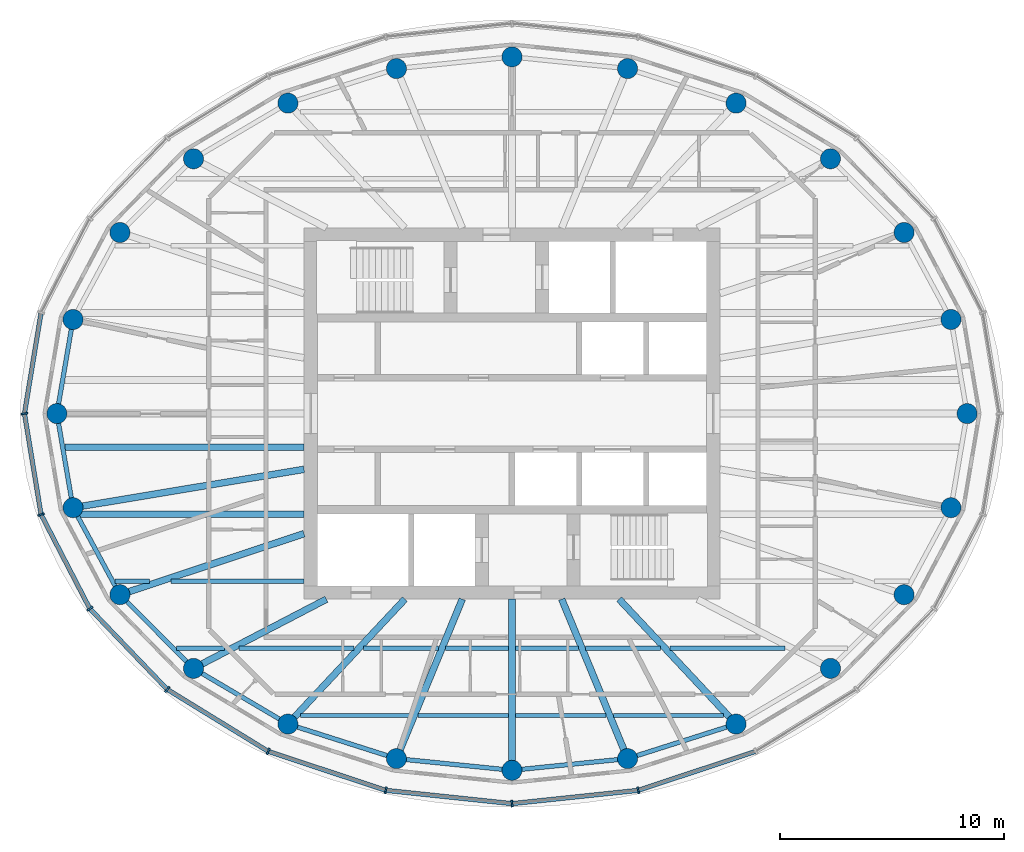
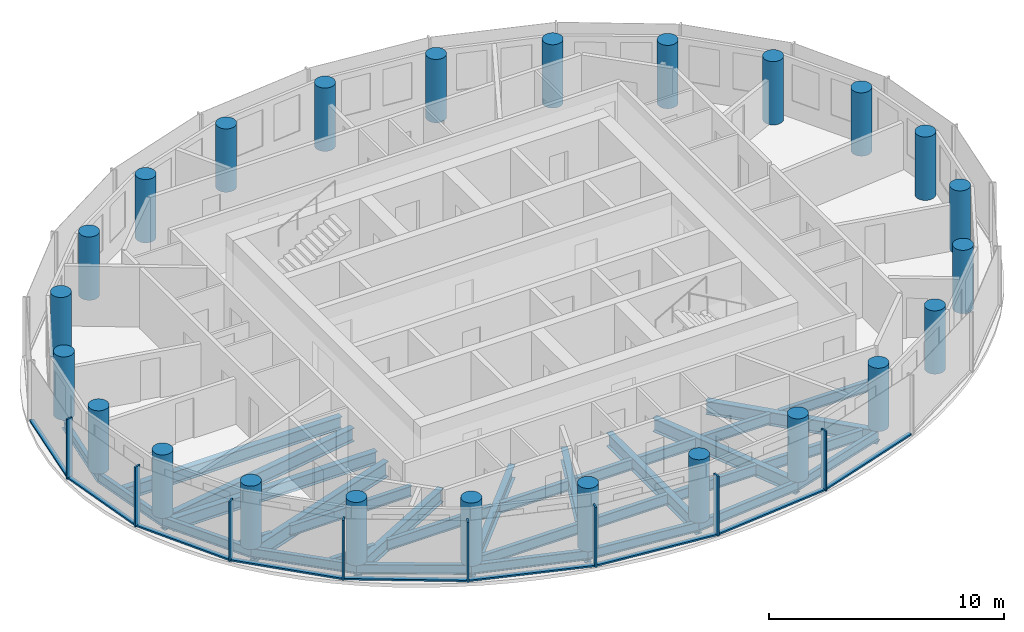
# One storey, part 1 of 11: 32 beams, 24 columns, 17 members, 3 elements without a shape of their own.
"""IFC4 building model written with IfcOpenShell, lengths in metres."""

from ifc_helpers import new_model, si_unit, direction, frame, origin, origin_2d, place, context, subcontext, project, spatial, rectangle, circle, i_section, extrude, material, material_profile, profile_set, type_object, element, aggregate, save


model = new_model("IFC4")

# Units and contexts
model_context = context("Model", 3, precision=1e-05, world=origin(), true_north=direction((0.0, 1.0)))
body_context = subcontext(model_context, "Body", "Model", "MODEL_VIEW")
ifc_project = project(units=[si_unit("LENGTHUNIT", "METRE"), si_unit("AREAUNIT", "SQUARE_METRE"), si_unit("VOLUMEUNIT", "CUBIC_METRE"), si_unit("PLANEANGLEUNIT", "RADIAN"), si_unit("MASSUNIT", "GRAM", prefix="KILO")], contexts=[model_context])

# Site, building, storey
site_placement = place(None, origin())
site = spatial("IfcSite", under=ifc_project, at=site_placement, CompositionType="ELEMENT")
building_placement = place(site_placement, origin())
building = spatial("IfcBuilding", under=site, at=building_placement, Name="Hankou Lantern Tower", CompositionType="ELEMENT")
storey_placement = place(building_placement, frame((0.0, 0.0, 209.39990234375)))
storey = spatial("IfcBuildingStorey", under=building, at=storey_placement, Name="L56", CompositionType="ELEMENT", Elevation=209.39990234375)

# Columns
ifc_material_1 = material(Name="Concrete C50", Category="concrete")
ifc_material_profile_1 = material_profile(ifc_material_1, circle(Radius=0.449951171875, at=origin_2d()), Name="RC D900")
ifc_profile_set_1 = profile_set([ifc_material_profile_1], Name="Concrete C50")
column_type = type_object("IfcColumnType", Name="TC5 PERIMETER COLUMN RC D900", PredefinedType="COLUMN", material=ifc_profile_set_1)
for number, where, z_axis, x_axis, name in (
    (1, (20.35009765625, 0.0, 0.0), (0.0, 0.0, 1.0), (1.0, 0.0, 0.0), "Column R01 L56"),
    (2, (19.629150390625, 4.207763671875, 0.0), (0.0, 0.0, 1.0), (1.0, 0.0, 0.0), "Column R02 L56"),
    (3, (17.5322265625, 8.097900390625, 0.0), (0.0, 0.0, 1.0), (1.0, 0.0, 0.0), "Column R03 L56"),
    (4, (14.241455078125, 11.393310546875, 0.0), (0.0, 0.0, 1.0), (1.0, 0.0, 0.0), "Column R04 L56"),
    (5, (10.01904296875, 13.8828125, 0.0), (0.0, 0.0, 1.0), (1.0, 0.0, 0.0), "Column R05 L56"),
    (6, (5.167236328125, 15.42724609375, 0.0), (0.0, 0.0, 1.0), (1.0, 0.0, 0.0), "Column R06 L56"),
    (7, (0.0, 15.949951171875, 0.0), (0.0, 0.0, 1.0), (1.0, 0.0, 0.0), "Column R07 L56"),
    (8, (-5.167236328125, 15.42724609375, 0.0), (0.0, 0.0, 1.0), (1.0, 0.0, 0.0), "Column R08 L56"),
    (9, (-10.01904296875, 13.8828125, 0.0), (0.0, 0.0, 1.0), (1.0, 0.0, 0.0), "Column R09 L56"),
    (10, (-14.241455078125, 11.393310546875, 0.0), (0.0, 0.0, 1.0), (1.0, 0.0, 0.0), "Column R10 L56"),
    (11, (-17.5322265625, 8.097900390625, 0.0), (0.0, 0.0, 1.0), (1.0, 0.0, 0.0), "Column R11 L56"),
    (12, (-19.629150390625, 4.207763671875, 0.0), (0.0, 0.0, 1.0), (1.0, 0.0, 0.0), "Column R12 L56"),
    (13, (-20.35009765625, 0.0, 0.0), (0.0, 0.0, 1.0), (1.0, 0.0, 0.0), "Column R13 L56"),
    (14, (-19.629150390625, -4.207763671875, 0.0), (0.0, 0.0, 1.0), (1.0, 0.0, 0.0), "Column R14 L56"),
    (15, (-17.5322265625, -8.097900390625, 0.0), (0.0, 0.0, 1.0), (1.0, 0.0, 0.0), "Column R15 L56"),
    (16, (-14.241455078125, -11.393310546875, 0.0), (0.0, 0.0, 1.0), (1.0, 0.0, 0.0), "Column R16 L56"),
    (17, (-10.01904296875, -13.8828125, 0.0), (0.0, 0.0, 1.0), (1.0, 0.0, 0.0), "Column R17 L56"),
    (18, (-5.167236328125, -15.42724609375, 0.0), (0.0, 0.0, 1.0), (1.0, 0.0, 0.0), "Column R18 L56"),
    (19, (0.0, -15.949951171875, 0.0), (0.0, 0.0, 1.0), (1.0, 0.0, 0.0), "Column R19 L56"),
    (20, (5.167236328125, -15.42724609375, 0.0), (0.0, 0.0, 1.0), (1.0, 0.0, 0.0), "Column R20 L56"),
    (21, (10.01904296875, -13.8828125, 0.0), (0.0, 0.0, 1.0), (1.0, 0.0, 0.0), "Column R21 L56"),
    (22, (14.241455078125, -11.393310546875, 0.0), (0.0, 0.0, 1.0), (1.0, 0.0, 0.0), "Column R22 L56"),
    (23, (17.5322265625, -8.097900390625, 0.0), (0.0, 0.0, 1.0), (1.0, 0.0, 0.0), "Column R23 L56"),
    (24, (19.629150390625, -4.207763671875, 0.0), (0.0, 0.0, 1.0), (1.0, 0.0, 0.0), "Column R24 L56"),
):
    element("IfcColumn", number, at=place(storey_placement, frame(where, z_axis=z_axis, x_axis=x_axis)), inside=storey, type_object=column_type, Name=name, PredefinedType="COLUMN", context=body_context, shape_type="SweptSolid", body=[
        extrude(circle(Radius=0.449951171875, at=origin_2d()), origin(), (0.0, 0.0, 1.0), 3.300048828125),
    ])

# Beams
ifc_material_2 = material(Name="Steel Q355B", Category="steel")
ifc_material_profile_2 = material_profile(ifc_material_2, i_section(OverallWidth=0.199951171875, OverallDepth=0.5, WebThickness=0.010009765625, FlangeThickness=0.01611328125, FilletRadius=0.012939453125, at=origin_2d()), Name="HN500x200x10x16")
ifc_profile_set_2 = profile_set([ifc_material_profile_2], Name="Steel Q355B")
beam_type_1 = type_object("IfcBeamType", Name="EB5 RING BEAM HN500x200x10x16", PredefinedType="SPANDREL", material=ifc_profile_set_2)
for number, where, z_axis, x_axis, name in (
    (25, (-19.629150390625, 4.207763671875, -0.429931640625), (-0.168876512999, -0.98563721691, 0.0), (0.98563721691, -0.168876512999, 0.0), "Ring beam R12-R13 L56"),
    (26, (-20.35009765625, 0.0, -0.429931640625), (0.168876512999, -0.98563721691, 0.0), (0.98563721691, 0.168876512999, 0.0), "Ring beam R13-R14 L56"),
):
    element("IfcBeam", number, at=place(storey_placement, frame(where, z_axis=z_axis, x_axis=x_axis)), inside=storey, type_object=beam_type_1, Name=name, PredefinedType="SPANDREL", context=body_context, shape_type="SweptSolid", body=[
        extrude(i_section(OverallWidth=0.199951171875, OverallDepth=0.5, WebThickness=0.010009765625, FlangeThickness=0.01611328125, FilletRadius=0.012939453125, at=origin_2d()), origin(), (0.0, 0.0, 1.0), 4.26904296875),
    ])
beam_1_placement = place(storey_placement, frame((-19.629150390625, -4.207763671875, -0.429931640625), z_axis=(0.474491806611, -0.880259919262, 0.0), x_axis=(0.880259919262, 0.474491806611, 0.0)))
element("IfcBeam", 27, at=beam_1_placement, inside=storey, type_object=beam_type_1, Name="Ring beam R14-R15 L56", PredefinedType="SPANDREL", context=body_context, shape_type="SweptSolid", body=[
    extrude(i_section(OverallWidth=0.199951171875, OverallDepth=0.5, WebThickness=0.010009765625, FlangeThickness=0.01611328125, FilletRadius=0.012939453125, at=origin_2d()), origin(), (0.0, 0.0, 1.0), 4.419189453125),
])
beam_2_placement = place(storey_placement, frame((-17.5322265625, -8.097900390625, -0.429931640625), z_axis=(0.706608588034, -0.707604623583, 0.0), x_axis=(0.707604623583, 0.706608588034, 0.0)))
element("IfcBeam", 28, at=beam_2_placement, inside=storey, type_object=beam_type_1, Name="Ring beam R15-R16 L56", PredefinedType="SPANDREL", context=body_context, shape_type="SweptSolid", body=[
    extrude(i_section(OverallWidth=0.199951171875, OverallDepth=0.5, WebThickness=0.010009765625, FlangeThickness=0.01611328125, FilletRadius=0.012939453125, at=origin_2d()), origin(), (0.0, 0.0, 1.0), 4.6572265625),
])
beam_3_placement = place(storey_placement, frame((-14.241455078125, -11.393310546875, -0.429931640625), z_axis=(0.861422897323, -0.507888365655, 0.0), x_axis=(0.507888365655, 0.861422897323, 0.0)))
element("IfcBeam", 29, at=beam_3_placement, inside=storey, type_object=beam_type_1, Name="Ring beam R16-R17 L56", PredefinedType="SPANDREL", context=body_context, shape_type="SweptSolid", body=[
    extrude(i_section(OverallWidth=0.199951171875, OverallDepth=0.5, WebThickness=0.010009765625, FlangeThickness=0.01611328125, FilletRadius=0.012939453125, at=origin_2d()), origin(), (0.0, 0.0, 1.0), 4.901611328125),
])
beam_4_placement = place(storey_placement, frame((-10.01904296875, -13.8828125, -0.429931640625), z_axis=(0.952887359315, -0.303324381574, 0.0), x_axis=(0.303324381574, 0.952887359315, 0.0)))
element("IfcBeam", 30, at=beam_4_placement, inside=storey, type_object=beam_type_1, Name="Ring beam R17-R18 L56", PredefinedType="SPANDREL", context=body_context, shape_type="SweptSolid", body=[
    extrude(i_section(OverallWidth=0.199951171875, OverallDepth=0.5, WebThickness=0.010009765625, FlangeThickness=0.01611328125, FilletRadius=0.012939453125, at=origin_2d()), origin(), (0.0, 0.0, 1.0), 5.091796875),
])
for number, where, z_axis, x_axis, name in (
    (31, (-5.167236328125, -15.42724609375, -0.429931640625), (0.994922507736, -0.100643944676, 0.0), (0.100643944676, 0.994922507736, 0.0), "Ring beam R18-R19 L56"),
    (32, (0.0, -15.949951171875, -0.429931640625), (0.994922507736, 0.100643944676, 0.0), (-0.100643944676, 0.994922507736, 0.0), "Ring beam R19-R20 L56"),
):
    element("IfcBeam", number, at=place(storey_placement, frame(where, z_axis=z_axis, x_axis=x_axis)), inside=storey, type_object=beam_type_1, Name=name, PredefinedType="SPANDREL", context=body_context, shape_type="SweptSolid", body=[
        extrude(i_section(OverallWidth=0.199951171875, OverallDepth=0.5, WebThickness=0.010009765625, FlangeThickness=0.01611328125, FilletRadius=0.012939453125, at=origin_2d()), origin(), (0.0, 0.0, 1.0), 5.193603515625),
    ])
beam_5_placement = place(storey_placement, frame((5.167236328125, -15.42724609375, -0.429931640625), z_axis=(0.952887359315, 0.303324381574, 0.0), x_axis=(-0.303324381574, 0.952887359315, 0.0)))
element("IfcBeam", 33, at=beam_5_placement, inside=storey, type_object=beam_type_1, Name="Ring beam R20-R21 L56", PredefinedType="SPANDREL", context=body_context, shape_type="SweptSolid", body=[
    extrude(i_section(OverallWidth=0.199951171875, OverallDepth=0.5, WebThickness=0.010009765625, FlangeThickness=0.01611328125, FilletRadius=0.012939453125, at=origin_2d()), origin(), (0.0, 0.0, 1.0), 5.091796875),
])

# Curtain wall, members
ifc_material_3 = material(Name="Glass, dark grey tinted laminated", Category="glass")
curtain_wall_type = type_object("IfcCurtainWallType", Name="CWD OUTER SKIN SUITE", PredefinedType="USERDEFINED", material=ifc_material_3)
curtain_wall_1_placement = place(storey_placement, origin())
curtain_wall_1 = element("IfcCurtainWall", 34, at=curtain_wall_1_placement, inside=storey, type_object=curtain_wall_type, Name="CWD L56 OS3", ObjectType="OUTER SKIN SUITE", PredefinedType="USERDEFINED")
ifc_material_4 = material(Name="Aluminium, black anodised", Category="aluminium")
ifc_material_profile_3 = material_profile(ifc_material_4, rectangle(XDim=0.080078125, YDim=0.300048828125, at=origin_2d()), Name="MU1 80X300")
ifc_profile_set_3 = profile_set([ifc_material_profile_3], Name="Aluminium, black anodised")
member_type_1 = type_object("IfcMemberType", Name="MU1 OUTER SKIN MULLION 80X300", PredefinedType="MULLION", material=ifc_profile_set_3)
member_1_placement = place(storey_placement, frame((-21.800048828125, 0.0, 0.0), z_axis=(0.0, 0.0, 1.0), x_axis=(0.162381515188, -0.986728049427, 0.0)))
member_1 = element("IfcMember", 35, at=member_1_placement, type_object=member_type_1, Name="CWD mullion 1", PredefinedType="MULLION", context=body_context, shape_type="SweptSolid", body=[
    extrude(rectangle(XDim=0.080078125, YDim=0.300048828125, at=origin_2d()), origin(), (0.0, 0.0, 1.0), 3.1201171875),
])
member_2_placement = place(storey_placement, frame((-21.05712890625, -4.513916015625, 0.0), z_axis=(0.0, 0.0, 1.0), x_axis=(0.317595577365, -0.94822626479, 0.0)))
member_2 = element("IfcMember", 36, at=member_2_placement, type_object=member_type_1, Name="CWD mullion 2", PredefinedType="MULLION", context=body_context, shape_type="SweptSolid", body=[
    extrude(rectangle(XDim=0.080078125, YDim=0.300048828125, at=origin_2d()), origin(), (0.0, 0.0, 1.0), 3.1201171875),
])
member_3_placement = place(storey_placement, frame((-18.87939453125, -8.719970703125, 0.0), z_axis=(0.0, 0.0, 1.0), x_axis=(0.585205735974, -0.810884854084, 0.0)))
member_3 = element("IfcMember", 37, at=member_3_placement, type_object=member_type_1, Name="CWD mullion 3", PredefinedType="MULLION", context=body_context, shape_type="SweptSolid", body=[
    extrude(rectangle(XDim=0.080078125, YDim=0.300048828125, at=origin_2d()), origin(), (0.0, 0.0, 1.0), 3.1201171875),
])
member_4_placement = place(storey_placement, frame((-15.4150390625, -12.33203125, 0.0), z_axis=(0.0, 0.0, 1.0), x_axis=(0.780868809444, -0.624695047553, 0.0)))
member_4 = element("IfcMember", 38, at=member_4_placement, type_object=member_type_1, Name="CWD mullion 4", PredefinedType="MULLION", context=body_context, shape_type="SweptSolid", body=[
    extrude(rectangle(XDim=0.080078125, YDim=0.300048828125, at=origin_2d()), origin(), (0.0, 0.0, 1.0), 3.1201171875),
])
member_5_placement = place(storey_placement, frame((-10.89990234375, -15.103515625, 0.0), z_axis=(0.0, 0.0, 1.0), x_axis=(0.907841299004, -0.419313934686, 0.0)))
member_5 = element("IfcMember", 39, at=member_5_placement, type_object=member_type_1, Name="CWD mullion 5", PredefinedType="MULLION", context=body_context, shape_type="SweptSolid", body=[
    extrude(rectangle(XDim=0.080078125, YDim=0.300048828125, at=origin_2d()), origin(), (0.0, 0.0, 1.0), 3.1201171875),
])
member_6_placement = place(storey_placement, frame((-5.642333984375, -16.845703125, 0.0), z_axis=(0.0, 0.0, 1.0), x_axis=(0.977787659625, -0.209597931016, 0.0)))
member_6 = element("IfcMember", 40, at=member_6_placement, type_object=member_type_1, Name="CWD mullion 6", PredefinedType="MULLION", context=body_context, shape_type="SweptSolid", body=[
    extrude(rectangle(XDim=0.080078125, YDim=0.300048828125, at=origin_2d()), origin(), (0.0, 0.0, 1.0), 3.1201171875),
])

curtain_wall_2_placement = place(storey_placement, origin())
curtain_wall_2 = element("IfcCurtainWall", 41, at=curtain_wall_2_placement, inside=storey, type_object=curtain_wall_type, Name="CWD L56 OS4", ObjectType="OUTER SKIN SUITE", PredefinedType="USERDEFINED")
member_7_placement = place(storey_placement, frame((0.0, -17.43994140625, 0.0), z_axis=(0.0, 0.0, 1.0), x_axis=(0.994499359107, 0.104742659579, 0.0)))
member_7 = element("IfcMember", 42, at=member_7_placement, type_object=member_type_1, Name="CWD mullion 1", PredefinedType="MULLION", context=body_context, shape_type="SweptSolid", body=[
    extrude(rectangle(XDim=0.080078125, YDim=0.300048828125, at=origin_2d()), origin(), (0.0, 0.0, 1.0), 3.1201171875),
])
member_8_placement = place(storey_placement, frame((5.642333984375, -16.845703125, 0.0), z_axis=(0.0, 0.0, 1.0), x_axis=(0.977787659625, 0.209597931016, 0.0)))
member_8 = element("IfcMember", 43, at=member_8_placement, type_object=member_type_1, Name="CWD mullion 2", PredefinedType="MULLION", context=body_context, shape_type="SweptSolid", body=[
    extrude(rectangle(XDim=0.080078125, YDim=0.300048828125, at=origin_2d()), origin(), (0.0, 0.0, 1.0), 3.1201171875),
])

# Beams
ifc_material_5 = material(Name="Steel Q355B", Category="steel")
ifc_material_profile_4 = material_profile(ifc_material_5, i_section(OverallWidth=0.300048828125, OverallDepth=0.800048828125, WebThickness=0.013916015625, FlangeThickness=0.02587890625, FilletRadius=0.01806640625, at=origin_2d()), Name="HN800x300x14x26")
ifc_profile_set_4 = profile_set([ifc_material_profile_4], Name="Steel Q355B")
beam_type_2 = type_object("IfcBeamType", Name="RB11 RADIAL BEAM HN800x300x14x26", PredefinedType="BEAM", material=ifc_profile_set_4)
beam_6_placement = place(storey_placement, frame((-9.300048828125, -5.369384765625, -0.579833984375), z_axis=(-0.949219608576, -0.314614263337, 0.0), x_axis=(0.314614263337, -0.949219608576, 0.0)))
element("IfcBeam", 44, at=beam_6_placement, inside=storey, type_object=beam_type_2, Name="Radial beam R15 L56", PredefinedType="BEAM", context=body_context, shape_type="SweptSolid", body=[
    extrude(i_section(OverallWidth=0.300048828125, OverallDepth=0.800048828125, WebThickness=0.013916015625, FlangeThickness=0.02587890625, FilletRadius=0.01806640625, at=origin_2d()), origin(), (0.0, 0.0, 1.0), 8.672607421875),
])
ifc_material_6 = material(Name="Steel Q355B", Category="steel")
ifc_material_profile_5 = material_profile(ifc_material_6, i_section(OverallWidth=0.300048828125, OverallDepth=0.699951171875, WebThickness=0.012939453125, FlangeThickness=0.02392578125, FilletRadius=0.01806640625, at=origin_2d()), Name="HN700x300x13x24")
ifc_profile_set_5 = profile_set([ifc_material_profile_5], Name="Steel Q355B")
beam_type_3 = type_object("IfcBeamType", Name="RB9 RADIAL BEAM HN700x300x13x24", PredefinedType="BEAM", material=ifc_profile_set_5)
beam_7_placement = place(storey_placement, frame((-9.300048828125, -2.491943359375, -0.52978515625), z_axis=(-0.986482007061, -0.163869612027, 0.0), x_axis=(0.163869612027, -0.986482007061, 0.0)))
element("IfcBeam", 45, at=beam_7_placement, inside=storey, type_object=beam_type_3, Name="Radial beam R14 L56", PredefinedType="BEAM", context=body_context, shape_type="SweptSolid", body=[
    extrude(i_section(OverallWidth=0.300048828125, OverallDepth=0.699951171875, WebThickness=0.012939453125, FlangeThickness=0.02392578125, FilletRadius=0.01806640625, at=origin_2d()), origin(), (0.0, 0.0, 1.0), 10.470703125),
])
beam_8_placement = place(storey_placement, frame((-8.300048828125, -8.300048828125, -0.52978515625), z_axis=(-0.886988734783, -0.461791061378, 0.0), x_axis=(0.461791061378, -0.886988734783, 0.0)))
element("IfcBeam", 46, at=beam_8_placement, inside=storey, type_object=beam_type_3, Name="Radial beam R16 L56", PredefinedType="BEAM", context=body_context, shape_type="SweptSolid", body=[
    extrude(i_section(OverallWidth=0.300048828125, OverallDepth=0.699951171875, WebThickness=0.012939453125, FlangeThickness=0.02392578125, FilletRadius=0.01806640625, at=origin_2d()), origin(), (0.0, 0.0, 1.0), 6.698486328125),
])
beam_9_placement = place(storey_placement, frame((-4.7919921875, -8.300048828125, -0.52978515625), z_axis=(-0.68346844743, -0.729980055459, 0.0), x_axis=(0.729980055459, -0.68346844743, 0.0)))
element("IfcBeam", 47, at=beam_9_placement, inside=storey, type_object=beam_type_3, Name="Radial beam R17 L56", PredefinedType="BEAM", context=body_context, shape_type="SweptSolid", body=[
    extrude(i_section(OverallWidth=0.300048828125, OverallDepth=0.699951171875, WebThickness=0.012939453125, FlangeThickness=0.02392578125, FilletRadius=0.01806640625, at=origin_2d()), origin(), (0.0, 0.0, 1.0), 7.64794921875),
])
beam_10_placement = place(storey_placement, frame((-2.223876953125, -8.300048828125, -0.52978515625), z_axis=(-0.381706648123, -0.924283525104, 0.0), x_axis=(0.924283525104, -0.381706648123, 0.0)))
element("IfcBeam", 48, at=beam_10_placement, inside=storey, type_object=beam_type_3, Name="Radial beam R18 L56", PredefinedType="BEAM", context=body_context, shape_type="SweptSolid", body=[
    extrude(i_section(OverallWidth=0.300048828125, OverallDepth=0.699951171875, WebThickness=0.012939453125, FlangeThickness=0.02392578125, FilletRadius=0.01806640625, at=origin_2d()), origin(), (0.0, 0.0, 1.0), 7.7109375),
])
beam_11_placement = place(storey_placement, frame((0.0, -8.300048828125, -0.52978515625), z_axis=(0.0, -1.0, 0.0), x_axis=(1.0, 0.0, 0.0)))
element("IfcBeam", 49, at=beam_11_placement, inside=storey, type_object=beam_type_3, Name="Radial beam R19 L56", PredefinedType="BEAM", context=body_context, shape_type="SweptSolid", body=[
    extrude(i_section(OverallWidth=0.300048828125, OverallDepth=0.699951171875, WebThickness=0.012939453125, FlangeThickness=0.02392578125, FilletRadius=0.01806640625, at=origin_2d()), origin(), (0.0, 0.0, 1.0), 7.64990234375),
])
beam_12_placement = place(storey_placement, frame((2.223876953125, -8.300048828125, -0.52978515625), z_axis=(0.381706648123, -0.924283525104, 0.0), x_axis=(0.924283525104, 0.381706648123, 0.0)))
element("IfcBeam", 50, at=beam_12_placement, inside=storey, type_object=beam_type_3, Name="Radial beam R20 L56", PredefinedType="BEAM", context=body_context, shape_type="SweptSolid", body=[
    extrude(i_section(OverallWidth=0.300048828125, OverallDepth=0.699951171875, WebThickness=0.012939453125, FlangeThickness=0.02392578125, FilletRadius=0.01806640625, at=origin_2d()), origin(), (0.0, 0.0, 1.0), 7.7109375),
])
beam_13_placement = place(storey_placement, frame((4.7919921875, -8.300048828125, -0.52978515625), z_axis=(0.68346844743, -0.729980055459, 0.0), x_axis=(0.729980055459, 0.68346844743, 0.0)))
element("IfcBeam", 51, at=beam_13_placement, inside=storey, type_object=beam_type_3, Name="Radial beam R21 L56", PredefinedType="BEAM", context=body_context, shape_type="SweptSolid", body=[
    extrude(i_section(OverallWidth=0.300048828125, OverallDepth=0.699951171875, WebThickness=0.012939453125, FlangeThickness=0.02392578125, FilletRadius=0.01806640625, at=origin_2d()), origin(), (0.0, 0.0, 1.0), 7.64794921875),
])
ifc_material_7 = material(Name="Steel Q355B", Category="steel")
ifc_material_profile_6 = material_profile(ifc_material_7, i_section(OverallWidth=0.199951171875, OverallDepth=0.550048828125, WebThickness=0.010009765625, FlangeThickness=0.01611328125, FilletRadius=0.012939453125, at=origin_2d()), Name="HN550x200x10x16")
ifc_profile_set_6 = profile_set([ifc_material_profile_6], Name="Steel Q355B")
beam_type_4 = type_object("IfcBeamType", Name="SB6 SECONDARY BEAM HN550x200x10x16", PredefinedType="JOIST", material=ifc_profile_set_6)
beam_14_placement = place(storey_placement, frame((-9.455078125, -13.5, -0.454833984375), z_axis=(1.0, 0.0, 0.0), x_axis=(0.0, 1.0, 0.0)))
element("IfcBeam", 52, at=beam_14_placement, inside=storey, type_object=beam_type_4, Name="Floor joist J001 L56", PredefinedType="JOIST", context=body_context, shape_type="SweptSolid", body=[
    extrude(i_section(OverallWidth=0.199951171875, OverallDepth=0.550048828125, WebThickness=0.010009765625, FlangeThickness=0.01611328125, FilletRadius=0.012939453125, at=origin_2d()), origin(), (0.0, 0.0, 1.0), 4.92138671875),
])
for number, where, z_axis, x_axis, name in (
    (53, (-4.208984375, -13.5, -0.454833984375), (1.0, 0.0, 0.0), (0.0, 1.0, 0.0), "Floor joist J002 L56"),
    (54, (0.14990234375, -13.5, -0.454833984375), (1.0, 0.0, 0.0), (0.0, 1.0, 0.0), "Floor joist J003 L56"),
):
    element("IfcBeam", number, at=place(storey_placement, frame(where, z_axis=z_axis, x_axis=x_axis)), inside=storey, type_object=beam_type_4, Name=name, PredefinedType="JOIST", context=body_context, shape_type="SweptSolid", body=[
        extrude(i_section(OverallWidth=0.199951171875, OverallDepth=0.550048828125, WebThickness=0.010009765625, FlangeThickness=0.01611328125, FilletRadius=0.012939453125, at=origin_2d()), origin(), (0.0, 0.0, 1.0), 4.05908203125),
    ])
beam_15_placement = place(storey_placement, frame((4.53369140625, -13.5, -0.454833984375), z_axis=(1.0, 0.0, 0.0), x_axis=(0.0, 1.0, 0.0)))
element("IfcBeam", 55, at=beam_15_placement, inside=storey, type_object=beam_type_4, Name="Floor joist J004 L56", PredefinedType="JOIST", context=body_context, shape_type="SweptSolid", body=[
    extrude(i_section(OverallWidth=0.199951171875, OverallDepth=0.550048828125, WebThickness=0.010009765625, FlangeThickness=0.01611328125, FilletRadius=0.012939453125, at=origin_2d()), origin(), (0.0, 0.0, 1.0), 4.92138671875),
])
beam_16_placement = place(storey_placement, frame((-14.9921875, -10.5, -0.454833984375), z_axis=(1.0, 0.0, 0.0), x_axis=(0.0, 1.0, 0.0)))
element("IfcBeam", 56, at=beam_16_placement, inside=storey, type_object=beam_type_4, Name="Floor joist J005 L56", PredefinedType="JOIST", context=body_context, shape_type="SweptSolid", body=[
    extrude(i_section(OverallWidth=0.199951171875, OverallDepth=0.550048828125, WebThickness=0.010009765625, FlangeThickness=0.01611328125, FilletRadius=0.012939453125, at=origin_2d()), origin(), (0.0, 0.0, 1.0), 2.1416015625),
])
beam_17_placement = place(storey_placement, frame((-12.200927734375, -10.5, -0.454833984375), z_axis=(1.0, 0.0, 0.0), x_axis=(0.0, 1.0, 0.0)))
element("IfcBeam", 57, at=beam_17_placement, inside=storey, type_object=beam_type_4, Name="Floor joist J006 L56", PredefinedType="JOIST", context=body_context, shape_type="SweptSolid", body=[
    extrude(i_section(OverallWidth=0.199951171875, OverallDepth=0.550048828125, WebThickness=0.010009765625, FlangeThickness=0.01611328125, FilletRadius=0.012939453125, at=origin_2d()), origin(), (0.0, 0.0, 1.0), 5.1435546875),
])
beam_18_placement = place(storey_placement, frame((-6.646240234375, -10.5, -0.454833984375), z_axis=(1.0, 0.0, 0.0), x_axis=(0.0, 1.0, 0.0)))
element("IfcBeam", 58, at=beam_18_placement, inside=storey, type_object=beam_type_4, Name="Floor joist J007 L56", PredefinedType="JOIST", context=body_context, shape_type="SweptSolid", body=[
    extrude(i_section(OverallWidth=0.199951171875, OverallDepth=0.550048828125, WebThickness=0.010009765625, FlangeThickness=0.01611328125, FilletRadius=0.012939453125, at=origin_2d()), origin(), (0.0, 0.0, 1.0), 3.3515625),
])
for number, where, z_axis, x_axis, name in (
    (59, (-2.97021484375, -10.5, -0.454833984375), (1.0, 0.0, 0.0), (0.0, 1.0, 0.0), "Floor joist J008 L56"),
    (60, (0.14990234375, -10.5, -0.454833984375), (1.0, 0.0, 0.0), (0.0, 1.0, 0.0), "Floor joist J009 L56"),
):
    element("IfcBeam", number, at=place(storey_placement, frame(where, z_axis=z_axis, x_axis=x_axis)), inside=storey, type_object=beam_type_4, Name=name, PredefinedType="JOIST", context=body_context, shape_type="SweptSolid", body=[
        extrude(i_section(OverallWidth=0.199951171875, OverallDepth=0.550048828125, WebThickness=0.010009765625, FlangeThickness=0.01611328125, FilletRadius=0.012939453125, at=origin_2d()), origin(), (0.0, 0.0, 1.0), 2.8203125),
    ])
beam_19_placement = place(storey_placement, frame((3.294677734375, -10.5, -0.454833984375), z_axis=(1.0, 0.0, 0.0), x_axis=(0.0, 1.0, 0.0)))
element("IfcBeam", 61, at=beam_19_placement, inside=storey, type_object=beam_type_4, Name="Floor joist J010 L56", PredefinedType="JOIST", context=body_context, shape_type="SweptSolid", body=[
    extrude(i_section(OverallWidth=0.199951171875, OverallDepth=0.550048828125, WebThickness=0.010009765625, FlangeThickness=0.01611328125, FilletRadius=0.012939453125, at=origin_2d()), origin(), (0.0, 0.0, 1.0), 3.3515625),
])
beam_20_placement = place(storey_placement, frame((7.057373046875, -10.5, -0.454833984375), z_axis=(1.0, 0.0, 0.0), x_axis=(0.0, 1.0, 0.0)))
element("IfcBeam", 62, at=beam_20_placement, inside=storey, type_object=beam_type_4, Name="Floor joist J011 L56", PredefinedType="JOIST", context=body_context, shape_type="SweptSolid", body=[
    extrude(i_section(OverallWidth=0.199951171875, OverallDepth=0.550048828125, WebThickness=0.010009765625, FlangeThickness=0.01611328125, FilletRadius=0.012939453125, at=origin_2d()), origin(), (0.0, 0.0, 1.0), 5.1435546875),
])
beam_21_placement = place(storey_placement, frame((-17.740966796875, -7.5, -0.454833984375), z_axis=(1.0, 0.0, 0.0), x_axis=(0.0, 1.0, 0.0)))
element("IfcBeam", 63, at=beam_21_placement, inside=storey, type_object=beam_type_4, Name="Floor joist J013 L56", PredefinedType="JOIST", context=body_context, shape_type="SweptSolid", body=[
    extrude(i_section(OverallWidth=0.199951171875, OverallDepth=0.550048828125, WebThickness=0.010009765625, FlangeThickness=0.01611328125, FilletRadius=0.012939453125, at=origin_2d()), origin(), (0.0, 0.0, 1.0), 1.53564453125),
])
beam_22_placement = place(storey_placement, frame((-15.251708984375, -7.5, -0.454833984375), z_axis=(1.0, 0.0, 0.0), x_axis=(0.0, 1.0, 0.0)))
element("IfcBeam", 64, at=beam_22_placement, inside=storey, type_object=beam_type_4, Name="Floor joist J014 L56", PredefinedType="JOIST", context=body_context, shape_type="SweptSolid", body=[
    extrude(i_section(OverallWidth=0.199951171875, OverallDepth=0.550048828125, WebThickness=0.010009765625, FlangeThickness=0.01611328125, FilletRadius=0.012939453125, at=origin_2d()), origin(), (0.0, 0.0, 1.0), 5.95166015625),
])
ifc_material_8 = material(Name="Steel Q355B", Category="steel")
ifc_material_profile_7 = material_profile(ifc_material_8, i_section(OverallWidth=0.300048828125, OverallDepth=0.64990234375, WebThickness=0.010986328125, FlangeThickness=0.01708984375, FilletRadius=0.01806640625, at=origin_2d()), Name="HN650x300x11x17")
ifc_profile_set_7 = profile_set([ifc_material_profile_7], Name="Steel Q355B")
beam_type_5 = type_object("IfcBeamType", Name="SB8 SECONDARY BEAM HN650x300x11x17", PredefinedType="JOIST", material=ifc_profile_set_7)
beam_23_placement = place(storey_placement, frame((-19.35791015625, -4.5, -0.5048828125), z_axis=(1.0, 0.0, 0.0), x_axis=(0.0, 1.0, 0.0)))
element("IfcBeam", 65, at=beam_23_placement, inside=storey, type_object=beam_type_5, Name="Floor joist J017 L56", PredefinedType="JOIST", context=body_context, shape_type="SweptSolid", body=[
    extrude(i_section(OverallWidth=0.300048828125, OverallDepth=0.64990234375, WebThickness=0.010986328125, FlangeThickness=0.01708984375, FilletRadius=0.01806640625, at=origin_2d()), origin(), (0.0, 0.0, 1.0), 10.057861328125),
])
beam_24_placement = place(storey_placement, frame((-19.991455078125, -1.5, -0.5048828125), z_axis=(1.0, 0.0, 0.0), x_axis=(0.0, 1.0, 0.0)))
element("IfcBeam", 66, at=beam_24_placement, inside=storey, type_object=beam_type_5, Name="Floor joist J019 L56", PredefinedType="JOIST", context=body_context, shape_type="SweptSolid", body=[
    extrude(i_section(OverallWidth=0.300048828125, OverallDepth=0.64990234375, WebThickness=0.010986328125, FlangeThickness=0.01708984375, FilletRadius=0.01806640625, at=origin_2d()), origin(), (0.0, 0.0, 1.0), 10.69140625),
])

# Curtain wall, member
curtain_wall_3_placement = place(storey_placement, origin())
curtain_wall_3 = element("IfcCurtainWall", 67, at=curtain_wall_3_placement, inside=storey, type_object=curtain_wall_type, Name="CWD L56 OS2", ObjectType="OUTER SKIN SUITE", PredefinedType="USERDEFINED")
ifc_material_9 = material(Name="Aluminium, black anodised", Category="aluminium")
ifc_material_profile_8 = material_profile(ifc_material_9, rectangle(XDim=0.199951171875, YDim=0.080078125, at=origin_2d()), Name="TR1 200X80")
ifc_profile_set_8 = profile_set([ifc_material_profile_8], Name="Aluminium, black anodised")
member_type_2 = type_object("IfcMemberType", Name="TR1 OUTER SKIN TRANSOM 200X80", PredefinedType="USERDEFINED", material=ifc_profile_set_8)
member_9_placement = place(storey_placement, frame((-21.063720703125, 4.474365234375, 0.0400390625), z_axis=(-0.162363822839, -0.986730960816, 0.0), x_axis=(0.986730960816, -0.162363822839, 0.0)))
member_9 = element("IfcMember", 68, at=member_9_placement, type_object=member_type_2, Name="CWD transom 6", ObjectType="TRANSOM", PredefinedType="USERDEFINED", context=body_context, shape_type="SweptSolid", body=[
    extrude(rectangle(XDim=0.199951171875, YDim=0.080078125, at=origin_2d()), origin(), (0.0, 0.0, 1.0), 4.494384765625),
])
aggregate(curtain_wall_3, [member_9])

# Member
member_10_placement = place(storey_placement, frame((-21.79345703125, -0.03955078125, 0.0400390625), z_axis=(0.162363822839, -0.986730960816, 0.0), x_axis=(0.986730960816, 0.162363822839, 0.0)))
member_10 = element("IfcMember", 69, at=member_10_placement, type_object=member_type_2, Name="CWD transom 1", ObjectType="TRANSOM", PredefinedType="USERDEFINED", context=body_context, shape_type="SweptSolid", body=[
    extrude(rectangle(XDim=0.199951171875, YDim=0.080078125, at=origin_2d()), origin(), (0.0, 0.0, 1.0), 4.494384765625),
])

member_11_placement = place(storey_placement, frame((-21.038818359375, -4.54931640625, 0.0400390625), z_axis=(0.45979371115, -0.888025755925, 0.0), x_axis=(0.888025755925, 0.45979371115, 0.0)))
member_11 = element("IfcMember", 70, at=member_11_placement, type_object=member_type_2, Name="CWD transom 2", ObjectType="TRANSOM", PredefinedType="USERDEFINED", context=body_context, shape_type="SweptSolid", body=[
    extrude(rectangle(XDim=0.199951171875, YDim=0.080078125, at=origin_2d()), origin(), (0.0, 0.0, 1.0), 4.65673828125),
])

member_12_placement = place(storey_placement, frame((-18.8515625, -8.748779296875, 0.0400390625), z_axis=(0.692204633274, -0.721701285626, 0.0), x_axis=(0.721701285626, 0.692204633274, 0.0)))
member_12 = element("IfcMember", 71, at=member_12_placement, type_object=member_type_2, Name="CWD transom 3", ObjectType="TRANSOM", PredefinedType="USERDEFINED", context=body_context, shape_type="SweptSolid", body=[
    extrude(rectangle(XDim=0.199951171875, YDim=0.080078125, at=origin_2d()), origin(), (0.0, 0.0, 1.0), 4.9248046875),
])

member_13_placement = place(storey_placement, frame((-15.380859375, -12.352783203125, 0.0400390625), z_axis=(0.852234544008, -0.523159900986, 0.0), x_axis=(0.523159900986, 0.852234544008, 0.0)))
member_13 = element("IfcMember", 72, at=member_13_placement, type_object=member_type_2, Name="CWD transom 4", ObjectType="TRANSOM", PredefinedType="USERDEFINED", context=body_context, shape_type="SweptSolid", body=[
    extrude(rectangle(XDim=0.199951171875, YDim=0.080078125, at=origin_2d()), origin(), (0.0, 0.0, 1.0), 5.2177734375),
])

member_14_placement = place(storey_placement, frame((-10.862060546875, -15.115966796875, 0.0400390625), z_axis=(0.949231947668, -0.314577032739, 0.0), x_axis=(0.314577032739, 0.949231947668, 0.0)))
member_14 = element("IfcMember", 73, at=member_14_placement, type_object=member_type_2, Name="CWD transom 5", ObjectType="TRANSOM", PredefinedType="USERDEFINED", context=body_context, shape_type="SweptSolid", body=[
    extrude(rectangle(XDim=0.199951171875, YDim=0.080078125, at=origin_2d()), origin(), (0.0, 0.0, 1.0), 5.458984375),
])

member_15_placement = place(storey_placement, frame((-5.6025390625, -16.849853515625, 0.0400390625), z_axis=(0.994498275726, -0.104752945435, 0.0), x_axis=(0.104752945435, 0.994498275726, 0.0)))
member_15 = element("IfcMember", 74, at=member_15_placement, type_object=member_type_2, Name="CWD transom 6", ObjectType="TRANSOM", PredefinedType="USERDEFINED", context=body_context, shape_type="SweptSolid", body=[
    extrude(rectangle(XDim=0.199951171875, YDim=0.080078125, at=origin_2d()), origin(), (0.0, 0.0, 1.0), 5.593505859375),
])

aggregate(curtain_wall_1, [member_1, member_2, member_3, member_4, member_5, member_6, member_10, member_11, member_12, member_13, member_14, member_15])

member_16_placement = place(storey_placement, frame((0.039794921875, -17.435791015625, 0.0400390625), z_axis=(0.994498275726, 0.104752945435, 0.0), x_axis=(-0.104752945435, 0.994498275726, 0.0)))
member_16 = element("IfcMember", 75, at=member_16_placement, type_object=member_type_2, Name="CWD transom 1", ObjectType="TRANSOM", PredefinedType="USERDEFINED", context=body_context, shape_type="SweptSolid", body=[
    extrude(rectangle(XDim=0.199951171875, YDim=0.080078125, at=origin_2d()), origin(), (0.0, 0.0, 1.0), 5.593505859375),
])

member_17_placement = place(storey_placement, frame((5.68017578125, -16.833251953125, 0.0400390625), z_axis=(0.949231947668, 0.314577032739, 0.0), x_axis=(-0.314577032739, 0.949231947668, 0.0)))
member_17 = element("IfcMember", 76, at=member_17_placement, type_object=member_type_2, Name="CWD transom 2", ObjectType="TRANSOM", PredefinedType="USERDEFINED", context=body_context, shape_type="SweptSolid", body=[
    extrude(rectangle(XDim=0.199951171875, YDim=0.080078125, at=origin_2d()), origin(), (0.0, 0.0, 1.0), 5.458984375),
])

aggregate(curtain_wall_2, [member_7, member_8, member_16, member_17])

save(model, "model.ifc")
